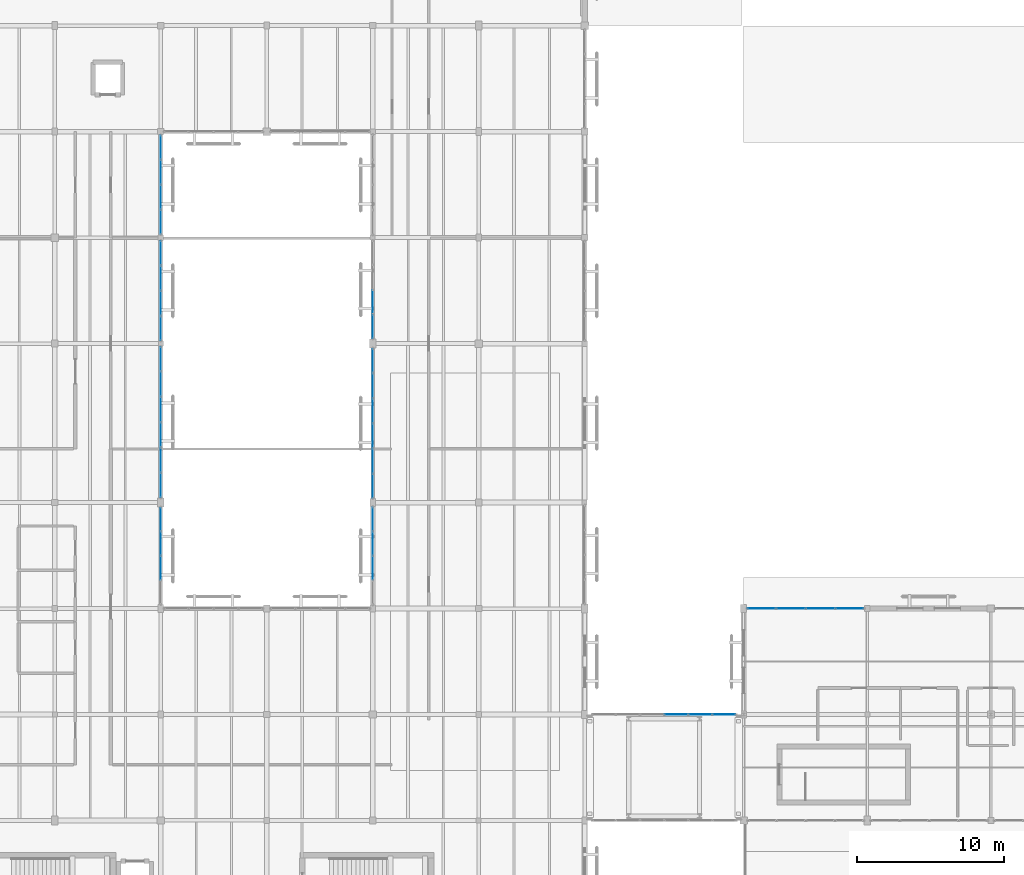
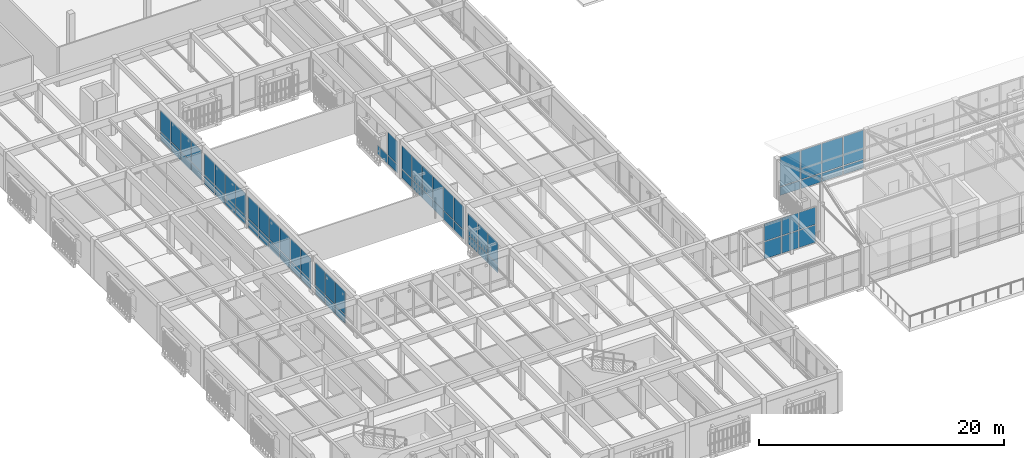
# One storey, part 71 of 112: 69 plates, 9 elements without a shape of their own.
"""IFC4 building model written with IfcOpenShell, lengths in metres."""

import ifcopenshell
import ifcopenshell.guid

model = None  # the IFC model being written
_history = None  # IfcOwnerHistory: only IFC2X3 demands one
_inside = {}  # id of a spatial element -> (the spatial element, [elements in it])
_under = {}  # id of a project, library or spatial element -> (it, [spatial elements below it])
_declared = {}  # id of a project -> (the project, [libraries it declares])
_typed = {}  # id of a type object -> (the type object, [elements of that type])
_made_of = {}  # id of a material, layer set ... -> (it, [elements and type objects made of it])


def new_model(schema):
    """Start an empty IFC model of exactly this schema.

    Asked for "IFC4X3", IfcOpenShell would pick the latest addendum, in which some entities
    have other attributes; the version numbers below select the first issue.
    IFC2X3 requires an IfcOwnerHistory on every rooted entity: one is made here for all.
    """
    global model, _history
    if schema == "IFC4X3":
        model = ifcopenshell.file(schema_version=(4, 3, 0, 0))
    else:
        model = ifcopenshell.file(schema=schema)
    _inside.clear()
    _under.clear()
    _declared.clear()
    _typed.clear()
    _made_of.clear()
    _history = None
    if model.schema == "IFC2X3":
        org = make("IfcOrganization", Name="unknown")
        user = make(
            "IfcPersonAndOrganization",
            ThePerson=make("IfcPerson", FamilyName="unknown"),
            TheOrganization=org,
        )
        app = make(
            "IfcApplication",
            ApplicationDeveloper=org,
            Version="unknown",
            ApplicationFullName="unknown",
            ApplicationIdentifier="unknown",
        )
        _history = make(
            "IfcOwnerHistory",
            OwningUser=user,
            OwningApplication=app,
            ChangeAction="ADDED",
            CreationDate=0,
        )
    return model


def make(cls, **values):
    """One entity of the class cls with the attributes given. An attribute that is None is left unset."""
    return model.create_entity(
        cls, **{name: value for name, value in values.items() if value is not None}
    )


def rooted(cls, **values):
    """An entity with a GlobalId (a new one), such as an element, a storey or a relation."""
    return make(cls, GlobalId=ifcopenshell.guid.new(), OwnerHistory=_history, **values)


def si_unit(unit_type, name, prefix=None):
    """IfcSIUnit, for example si_unit("LENGTHUNIT", "METRE", prefix="MILLI")."""
    return make("IfcSIUnit", UnitType=unit_type, Prefix=prefix, Name=name)


def assignment(units):
    """IfcUnitAssignment: the units of a project."""
    return None if units is None else make("IfcUnitAssignment", Units=units)


def point(xyz):
    """IfcCartesianPoint."""
    return None if xyz is None else make("IfcCartesianPoint", Coordinates=xyz)


def direction(xyz):
    """IfcDirection."""
    return None if xyz is None else make("IfcDirection", DirectionRatios=xyz)


def frame(location, z_axis=None, x_axis=None):
    """IfcAxis2Placement3D, a coordinate frame: its origin and axes. An axis left out is left unset."""
    return make(
        "IfcAxis2Placement3D",
        Location=point(location),
        Axis=direction(z_axis),
        RefDirection=direction(x_axis),
    )


def frame_2d(location, x_axis=None):
    """IfcAxis2Placement2D, a coordinate frame in the plane: its origin and x axis."""
    return make(
        "IfcAxis2Placement2D", Location=point(location), RefDirection=direction(x_axis)
    )


def origin():
    """The frame at (0, 0, 0) with its axes left unset."""
    return frame((0.0, 0.0, 0.0))


def origin_2d():
    """The frame at (0, 0) in the plane with its x axis left unset."""
    return frame_2d((0.0, 0.0))


def place(relative_to, where):
    """IfcLocalPlacement: puts the frame where relative to a parent placement (None: the world)."""
    return make(
        "IfcLocalPlacement", PlacementRelTo=relative_to, RelativePlacement=where
    )


def context(
    kind, dimensions, precision=None, world=None, true_north=None, identifier=None
):
    """IfcGeometricRepresentationContext, for example the 3D "Model" context."""
    return make(
        "IfcGeometricRepresentationContext",
        ContextIdentifier=identifier,
        ContextType=kind,
        CoordinateSpaceDimension=dimensions,
        Precision=precision,
        WorldCoordinateSystem=world,
        TrueNorth=true_north,
    )


def subcontext(parent, identifier, kind, view, scale=None):
    """IfcGeometricRepresentationSubContext, for example "Body" below "Model"."""
    return make(
        "IfcGeometricRepresentationSubContext",
        ContextIdentifier=identifier,
        ContextType=kind,
        ParentContext=parent,
        TargetScale=scale,
        TargetView=view,
    )


def project(units=None, contexts=None):
    """IfcProject with its units and contexts."""
    return rooted(
        "IfcProject",
        Name="project",
        RepresentationContexts=contexts,
        UnitsInContext=assignment(units),
    )


def spatial(cls, under=None, at=None, **own):
    """A site, building, storey or space (cls), placed at a placement, below another one or the project."""
    s = rooted(cls, ObjectPlacement=at, **own)
    if under is not None:
        _under.setdefault(under.id(), (under, []))[1].append(s)
    return s


def profile(cls, at=None, kind="AREA", **sizes):
    """A parametric profile (cls). Its sizes go by their IFC names, for example OverallWidth=200.0."""
    return make(cls, ProfileType=kind, Position=at, **sizes)


def rectangle(**sizes):
    """IfcRectangleProfileDef."""
    return profile("IfcRectangleProfileDef", **sizes)


def extrude(swept, where, along, depth):
    """IfcExtrudedAreaSolid: the profile swept, set in the frame where, extruded along a direction by depth."""
    return make(
        "IfcExtrudedAreaSolid",
        SweptArea=swept,
        Position=where,
        ExtrudedDirection=direction(along),
        Depth=depth,
    )


def shape(context_of_items, identifier, shape_type, items):
    """IfcShapeRepresentation: the items that make up one representation, for example the "Body"."""
    return make(
        "IfcShapeRepresentation",
        ContextOfItems=context_of_items,
        RepresentationIdentifier=identifier,
        RepresentationType=shape_type,
        Items=items,
    )


def material(Name=None, Category=None):
    """IfcMaterial."""
    return make("IfcMaterial", Name=Name, Category=Category)


def layer(
    of_material, thickness, ventilated=None, Name=None, Category=None, Priority=None
):
    """IfcMaterialLayer: one layer of a wall or slab, of a material (None: an air gap)."""
    return make(
        "IfcMaterialLayer",
        Material=of_material,
        LayerThickness=thickness,
        IsVentilated=ventilated,
        Name=Name,
        Category=Category,
        Priority=Priority,
    )


def layer_set(layers, Name=None):
    """IfcMaterialLayerSet."""
    return make("IfcMaterialLayerSet", MaterialLayers=layers, LayerSetName=Name)


def made_of(thing, what):
    """Note that an element or type object is made of a material, layer set ...; save() writes the relation."""
    if what is not None:
        _made_of.setdefault(what.id(), (what, []))[1].append(thing)
    return thing


def type_object(cls, material=None, **own):
    """A type object (cls), such as IfcWallType, which elements share."""
    return made_of(rooted(cls, **own), material)


def element(
    cls,
    number,
    at=None,
    inside=None,
    cuts=None,
    type_object=None,
    material=None,
    context=None,
    identifier="Body",
    shape_type=None,
    held_by="IfcProductDefinitionShape",
    body=None,
    shapes=None,
    **own,
):
    """One element of the class cls, such as IfcWall. Its Tag is "e" and its number.

    at: its placement. inside: the storey or other place that contains it. cuts: it is an
    opening in that element (IfcRelVoidsElement). A single representation is given by context,
    identifier, shape_type and body (its items); several are given by shapes. held_by: the class
    of the entity that holds the representations. save() writes the other relations.
    """
    e = rooted(cls, Tag="e%d" % number, ObjectPlacement=at, **own)
    if body is not None:
        shapes = [shape(context, identifier, shape_type, body)]
    if shapes is not None:
        e.Representation = make(held_by, Representations=shapes)
    if inside is not None:
        _inside.setdefault(inside.id(), (inside, []))[1].append(e)
    if cuts is not None:
        rooted(
            "IfcRelVoidsElement", RelatingBuildingElement=cuts, RelatedOpeningElement=e
        )
    if type_object is not None:
        _typed.setdefault(type_object.id(), (type_object, []))[1].append(e)
    return made_of(e, material)


def aggregate(whole, parts):
    """IfcRelAggregates: a whole, such as a stair, and the parts it consists of."""
    return rooted("IfcRelAggregates", RelatingObject=whole, RelatedObjects=parts)


def save(model, path):
    """Write the relations noted so far, then the file.

    IfcRelAggregates (storeys below a building ...), IfcRelContainedInSpatialStructure (elements
    in a storey), IfcRelDefinesByType, IfcRelAssociatesMaterial and IfcRelDeclares: one each for
    every whole, place, type object, material and project.
    """
    for whole, parts in _under.values():
        aggregate(whole, parts)
    for where, things in _inside.values():
        rooted(
            "IfcRelContainedInSpatialStructure",
            RelatedElements=things,
            RelatingStructure=where,
        )
    for kind, things in _typed.values():
        rooted("IfcRelDefinesByType", RelatedObjects=things, RelatingType=kind)
    for what, things in _made_of.values():
        rooted("IfcRelAssociatesMaterial", RelatedObjects=things, RelatingMaterial=what)
    for by, libraries in _declared.values():
        rooted("IfcRelDeclares", RelatingContext=by, RelatedDefinitions=libraries)
    model.write(path)


model = new_model("IFC4")

# Units and contexts
model_context = context("Model", 3, precision=1e-05, world=origin(), true_north=direction((0.0, 1.0)))
body_context = subcontext(model_context, "Body", "Model", "MODEL_VIEW")
ifc_project = project(units=[si_unit("LENGTHUNIT", "METRE"), si_unit("AREAUNIT", "SQUARE_METRE"), si_unit("VOLUMEUNIT", "CUBIC_METRE"), si_unit("PLANEANGLEUNIT", "RADIAN"), si_unit("MASSUNIT", "GRAM", prefix="KILO")], contexts=[model_context])

# Site, building, storey
site_placement = place(None, origin())
site = spatial("IfcSite", under=ifc_project, at=site_placement, CompositionType="ELEMENT")
building_placement = place(site_placement, origin())
building = spatial("IfcBuilding", under=site, at=building_placement, Name="Mazaris Harbour Polytechnic", CompositionType="ELEMENT")
storey_placement = place(building_placement, frame((0.0, 0.0, 13.800048828125)))
storey = spatial("IfcBuildingStorey", under=building, at=storey_placement, Name="L03", CompositionType="ELEMENT", Elevation=13.800048828125)

# Curtain wall, plates
ifc_material_1 = material(Name="Anodised Bronze Aluminium and Low-E Glass", Category="aluminium")
ifc_layer_1 = layer(ifc_material_1, 0.159912109375, Name="Anodised Bronze Aluminium and Low-E Glass")
ifc_layer_set_1 = layer_set([ifc_layer_1], Name="Anodised Bronze Aluminium and Low-E Glass")
curtain_wall_type_1 = type_object("IfcCurtainWallType", Name="Cloister Court Curtain Wall", PredefinedType="NOTDEFINED", material=ifc_layer_set_1)
curtain_wall_1_placement = place(storey_placement, origin())
curtain_wall_1 = element("IfcCurtainWall", 1, at=curtain_wall_1_placement, inside=storey, type_object=curtain_wall_type_1, Name="V3 L03 Curtain Wall 93", PredefinedType="NOTDEFINED")
ifc_material_2 = material(Name="Low-E Double Glazing", Category="glass")
ifc_layer_2 = layer(ifc_material_2, 0.028076171875, Name="Low-E Double Glazing")
ifc_layer_set_2 = layer_set([ifc_layer_2], Name="Low-E Double Glazing")
plate_type = type_object("IfcPlateType", Name="Low-E Vision Glass Panel 28", PredefinedType="CURTAIN_PANEL", material=ifc_layer_set_2)
plate_1_placement = place(storey_placement, frame((55.21533203125, 36.0, 0.079833984375), z_axis=(0.0, 0.0, 1.0), x_axis=(1.0, 0.0, 0.0)))
plate_1 = element("IfcPlate", 2, at=plate_1_placement, type_object=plate_type, Name="CW-02 panel 1.1", PredefinedType="CURTAIN_PANEL", context=body_context, shape_type="SweptSolid", body=[
    extrude(rectangle(XDim=1.886474609375, YDim=0.028076171875, at=origin_2d()), origin(), (0.0, 0.0, 1.0), 0.830078125),
])
plate_2_placement = place(storey_placement, frame((55.21533203125, 36.0, 0.990234375), z_axis=(0.0, 0.0, 1.0), x_axis=(1.0, 0.0, 0.0)))
plate_2 = element("IfcPlate", 3, at=plate_2_placement, type_object=plate_type, Name="CW-02 panel 1.2", PredefinedType="CURTAIN_PANEL", context=body_context, shape_type="SweptSolid", body=[
    extrude(rectangle(XDim=1.886474609375, YDim=0.028076171875, at=origin_2d()), origin(), (0.0, 0.0, 1.0), 2.889892578125),
])
plate_3_placement = place(storey_placement, frame((57.20166015625, 36.0, 0.079833984375), z_axis=(0.0, 0.0, 1.0), x_axis=(1.0, 0.0, 0.0)))
plate_3 = element("IfcPlate", 4, at=plate_3_placement, type_object=plate_type, Name="CW-02 panel 2.1", PredefinedType="CURTAIN_PANEL", context=body_context, shape_type="SweptSolid", body=[
    extrude(rectangle(XDim=1.926513671875, YDim=0.028076171875, at=origin_2d()), origin(), (0.0, 0.0, 1.0), 0.830078125),
])
plate_4_placement = place(storey_placement, frame((57.20166015625, 36.0, 0.990234375), z_axis=(0.0, 0.0, 1.0), x_axis=(1.0, 0.0, 0.0)))
plate_4 = element("IfcPlate", 5, at=plate_4_placement, type_object=plate_type, Name="CW-02 panel 2.2", PredefinedType="CURTAIN_PANEL", context=body_context, shape_type="SweptSolid", body=[
    extrude(rectangle(XDim=1.926513671875, YDim=0.028076171875, at=origin_2d()), origin(), (0.0, 0.0, 1.0), 2.889892578125),
])
plate_5_placement = place(storey_placement, frame((59.208251953125, 36.0, 0.079833984375), z_axis=(0.0, 0.0, 1.0), x_axis=(1.0, 0.0, 0.0)))
plate_5 = element("IfcPlate", 6, at=plate_5_placement, type_object=plate_type, Name="CW-02 panel 3.1", PredefinedType="CURTAIN_PANEL", context=body_context, shape_type="SweptSolid", body=[
    extrude(rectangle(XDim=1.926513671875, YDim=0.028076171875, at=origin_2d()), origin(), (0.0, 0.0, 1.0), 0.830078125),
])
plate_6_placement = place(storey_placement, frame((59.208251953125, 36.0, 0.990234375), z_axis=(0.0, 0.0, 1.0), x_axis=(1.0, 0.0, 0.0)))
plate_6 = element("IfcPlate", 7, at=plate_6_placement, type_object=plate_type, Name="CW-02 panel 3.2", PredefinedType="CURTAIN_PANEL", context=body_context, shape_type="SweptSolid", body=[
    extrude(rectangle(XDim=1.926513671875, YDim=0.028076171875, at=origin_2d()), origin(), (0.0, 0.0, 1.0), 2.889892578125),
])
plate_7_placement = place(storey_placement, frame((61.19482421875, 36.0, 0.079833984375), z_axis=(0.0, 0.0, 1.0), x_axis=(1.0, 0.0, 0.0)))
plate_7 = element("IfcPlate", 8, at=plate_7_placement, type_object=plate_type, Name="CW-02 panel 4.1", PredefinedType="CURTAIN_PANEL", context=body_context, shape_type="SweptSolid", body=[
    extrude(rectangle(XDim=1.886474609375, YDim=0.028076171875, at=origin_2d()), origin(), (0.0, 0.0, 1.0), 0.830078125),
])
plate_8_placement = place(storey_placement, frame((61.19482421875, 36.0, 0.990234375), z_axis=(0.0, 0.0, 1.0), x_axis=(1.0, 0.0, 0.0)))
plate_8 = element("IfcPlate", 9, at=plate_8_placement, type_object=plate_type, Name="CW-02 panel 4.2", PredefinedType="CURTAIN_PANEL", context=body_context, shape_type="SweptSolid", body=[
    extrude(rectangle(XDim=1.886474609375, YDim=0.028076171875, at=origin_2d()), origin(), (0.0, 0.0, 1.0), 2.889892578125),
])
aggregate(curtain_wall_1, [plate_1, plate_2, plate_3, plate_4, plate_5, plate_6, plate_7, plate_8])

curtain_wall_2_placement = place(storey_placement, origin())
curtain_wall_2 = element("IfcCurtainWall", 10, at=curtain_wall_2_placement, inside=storey, type_object=curtain_wall_type_1, Name="V4 L03 Curtain Wall 154", PredefinedType="NOTDEFINED")
plate_9_placement = place(storey_placement, frame((14.39990234375, 38.754150390625, 0.079833984375), z_axis=(0.0, 0.0, 1.0), x_axis=(0.0, 1.0, 0.0)))
plate_9 = element("IfcPlate", 11, at=plate_9_placement, type_object=plate_type, Name="CW-02 panel 2.1", PredefinedType="CURTAIN_PANEL", context=body_context, shape_type="SweptSolid", body=[
    extrude(rectangle(XDim=1.58154296875, YDim=0.028076171875, at=origin_2d()), origin(), (0.0, 0.0, 1.0), 0.830078125),
])
plate_10_placement = place(storey_placement, frame((14.39990234375, 38.754150390625, 0.98974609375), z_axis=(0.0, 0.0, 1.0), x_axis=(0.0, 1.0, 0.0)))
plate_10 = element("IfcPlate", 12, at=plate_10_placement, type_object=plate_type, Name="CW-02 panel 2.2", PredefinedType="CURTAIN_PANEL", context=body_context, shape_type="SweptSolid", body=[
    extrude(rectangle(XDim=1.58154296875, YDim=0.028076171875, at=origin_2d()), origin(), (0.0, 0.0, 1.0), 2.260009765625),
])
plate_11_placement = place(storey_placement, frame((14.39990234375, 40.415771484375, 0.079833984375), z_axis=(0.0, 0.0, 1.0), x_axis=(0.0, 1.0, 0.0)))
plate_11 = element("IfcPlate", 13, at=plate_11_placement, type_object=plate_type, Name="CW-02 panel 3.1", PredefinedType="CURTAIN_PANEL", context=body_context, shape_type="SweptSolid", body=[
    extrude(rectangle(XDim=1.58154296875, YDim=0.028076171875, at=origin_2d()), origin(), (0.0, 0.0, 1.0), 0.830078125),
])
plate_12_placement = place(storey_placement, frame((14.39990234375, 40.415771484375, 0.98974609375), z_axis=(0.0, 0.0, 1.0), x_axis=(0.0, 1.0, 0.0)))
plate_12 = element("IfcPlate", 14, at=plate_12_placement, type_object=plate_type, Name="CW-02 panel 3.2", PredefinedType="CURTAIN_PANEL", context=body_context, shape_type="SweptSolid", body=[
    extrude(rectangle(XDim=1.58154296875, YDim=0.028076171875, at=origin_2d()), origin(), (0.0, 0.0, 1.0), 2.260009765625),
])
plate_13_placement = place(storey_placement, frame((14.39990234375, 42.05712890625, 0.079833984375), z_axis=(0.0, 0.0, 1.0), x_axis=(0.0, 1.0, 0.0)))
plate_13 = element("IfcPlate", 15, at=plate_13_placement, type_object=plate_type, Name="CW-02 panel 4.1", PredefinedType="CURTAIN_PANEL", context=body_context, shape_type="SweptSolid", body=[
    extrude(rectangle(XDim=1.54150390625, YDim=0.028076171875, at=origin_2d()), origin(), (0.0, 0.0, 1.0), 0.830078125),
])
plate_14_placement = place(storey_placement, frame((14.39990234375, 42.05712890625, 0.98974609375), z_axis=(0.0, 0.0, 1.0), x_axis=(0.0, 1.0, 0.0)))
plate_14 = element("IfcPlate", 16, at=plate_14_placement, type_object=plate_type, Name="CW-02 panel 4.2", PredefinedType="CURTAIN_PANEL", context=body_context, shape_type="SweptSolid", body=[
    extrude(rectangle(XDim=1.54150390625, YDim=0.028076171875, at=origin_2d()), origin(), (0.0, 0.0, 1.0), 2.260009765625),
])
aggregate(curtain_wall_2, [plate_9, plate_10, plate_11, plate_12, plate_13, plate_14])

curtain_wall_3_placement = place(storey_placement, origin())
curtain_wall_3 = element("IfcCurtainWall", 17, at=curtain_wall_3_placement, inside=storey, type_object=curtain_wall_type_1, Name="V4 L03 Curtain Wall 155", PredefinedType="NOTDEFINED")
plate_15_placement = place(storey_placement, frame((14.39990234375, 44.374267578125, 0.079833984375), z_axis=(0.0, 0.0, 1.0), x_axis=(0.0, 1.0, 0.0)))
plate_15 = element("IfcPlate", 18, at=plate_15_placement, type_object=plate_type, Name="CW-02 panel 1.1", PredefinedType="CURTAIN_PANEL", context=body_context, shape_type="SweptSolid", body=[
    extrude(rectangle(XDim=1.604248046875, YDim=0.028076171875, at=origin_2d()), origin(), (0.0, 0.0, 1.0), 0.830078125),
])
plate_16_placement = place(storey_placement, frame((14.39990234375, 44.374267578125, 0.98974609375), z_axis=(0.0, 0.0, 1.0), x_axis=(0.0, 1.0, 0.0)))
plate_16 = element("IfcPlate", 19, at=plate_16_placement, type_object=plate_type, Name="CW-02 panel 1.2", PredefinedType="CURTAIN_PANEL", context=body_context, shape_type="SweptSolid", body=[
    extrude(rectangle(XDim=1.604248046875, YDim=0.028076171875, at=origin_2d()), origin(), (0.0, 0.0, 1.0), 2.199951171875),
])
plate_17_placement = place(storey_placement, frame((14.39990234375, 46.07861328125, 0.079833984375), z_axis=(0.0, 0.0, 1.0), x_axis=(0.0, 1.0, 0.0)))
plate_17 = element("IfcPlate", 20, at=plate_17_placement, type_object=plate_type, Name="CW-02 panel 2.1", PredefinedType="CURTAIN_PANEL", context=body_context, shape_type="SweptSolid", body=[
    extrude(rectangle(XDim=1.644287109375, YDim=0.028076171875, at=origin_2d()), origin(), (0.0, 0.0, 1.0), 0.830078125),
])
plate_18_placement = place(storey_placement, frame((14.39990234375, 46.07861328125, 0.98974609375), z_axis=(0.0, 0.0, 1.0), x_axis=(0.0, 1.0, 0.0)))
plate_18 = element("IfcPlate", 21, at=plate_18_placement, type_object=plate_type, Name="CW-02 panel 2.2", PredefinedType="CURTAIN_PANEL", context=body_context, shape_type="SweptSolid", body=[
    extrude(rectangle(XDim=1.644287109375, YDim=0.028076171875, at=origin_2d()), origin(), (0.0, 0.0, 1.0), 2.199951171875),
])
plate_19_placement = place(storey_placement, frame((14.39990234375, 47.802734375, 0.079833984375), z_axis=(0.0, 0.0, 1.0), x_axis=(0.0, 1.0, 0.0)))
plate_19 = element("IfcPlate", 22, at=plate_19_placement, type_object=plate_type, Name="CW-02 panel 3.1", PredefinedType="CURTAIN_PANEL", context=body_context, shape_type="SweptSolid", body=[
    extrude(rectangle(XDim=1.644287109375, YDim=0.028076171875, at=origin_2d()), origin(), (0.0, 0.0, 1.0), 0.830078125),
])
plate_20_placement = place(storey_placement, frame((14.39990234375, 47.802734375, 0.98974609375), z_axis=(0.0, 0.0, 1.0), x_axis=(0.0, 1.0, 0.0)))
plate_20 = element("IfcPlate", 23, at=plate_20_placement, type_object=plate_type, Name="CW-02 panel 3.2", PredefinedType="CURTAIN_PANEL", context=body_context, shape_type="SweptSolid", body=[
    extrude(rectangle(XDim=1.644287109375, YDim=0.028076171875, at=origin_2d()), origin(), (0.0, 0.0, 1.0), 2.199951171875),
])
plate_21_placement = place(storey_placement, frame((14.39990234375, 49.527099609375, 0.079833984375), z_axis=(0.0, 0.0, 1.0), x_axis=(0.0, 1.0, 0.0)))
plate_21 = element("IfcPlate", 24, at=plate_21_placement, type_object=plate_type, Name="CW-02 panel 4.1", PredefinedType="CURTAIN_PANEL", context=body_context, shape_type="SweptSolid", body=[
    extrude(rectangle(XDim=1.644287109375, YDim=0.028076171875, at=origin_2d()), origin(), (0.0, 0.0, 1.0), 0.830078125),
])
plate_22_placement = place(storey_placement, frame((14.39990234375, 49.527099609375, 0.98974609375), z_axis=(0.0, 0.0, 1.0), x_axis=(0.0, 1.0, 0.0)))
plate_22 = element("IfcPlate", 25, at=plate_22_placement, type_object=plate_type, Name="CW-02 panel 4.2", PredefinedType="CURTAIN_PANEL", context=body_context, shape_type="SweptSolid", body=[
    extrude(rectangle(XDim=1.644287109375, YDim=0.028076171875, at=origin_2d()), origin(), (0.0, 0.0, 1.0), 2.199951171875),
])
plate_23_placement = place(storey_placement, frame((14.39990234375, 51.25146484375, 0.079833984375), z_axis=(0.0, 0.0, 1.0), x_axis=(0.0, 1.0, 0.0)))
plate_23 = element("IfcPlate", 26, at=plate_23_placement, type_object=plate_type, Name="CW-02 panel 5.1", PredefinedType="CURTAIN_PANEL", context=body_context, shape_type="SweptSolid", body=[
    extrude(rectangle(XDim=1.644287109375, YDim=0.028076171875, at=origin_2d()), origin(), (0.0, 0.0, 1.0), 0.830078125),
])
plate_24_placement = place(storey_placement, frame((14.39990234375, 51.25146484375, 0.98974609375), z_axis=(0.0, 0.0, 1.0), x_axis=(0.0, 1.0, 0.0)))
plate_24 = element("IfcPlate", 27, at=plate_24_placement, type_object=plate_type, Name="CW-02 panel 5.2", PredefinedType="CURTAIN_PANEL", context=body_context, shape_type="SweptSolid", body=[
    extrude(rectangle(XDim=1.644287109375, YDim=0.028076171875, at=origin_2d()), origin(), (0.0, 0.0, 1.0), 2.199951171875),
])
plate_25_placement = place(storey_placement, frame((14.39990234375, 52.955810546875, 0.079833984375), z_axis=(0.0, 0.0, 1.0), x_axis=(0.0, 1.0, 0.0)))
plate_25 = element("IfcPlate", 28, at=plate_25_placement, type_object=plate_type, Name="CW-02 panel 6.1", PredefinedType="CURTAIN_PANEL", context=body_context, shape_type="SweptSolid", body=[
    extrude(rectangle(XDim=1.604248046875, YDim=0.028076171875, at=origin_2d()), origin(), (0.0, 0.0, 1.0), 0.830078125),
])
plate_26_placement = place(storey_placement, frame((14.39990234375, 52.955810546875, 0.98974609375), z_axis=(0.0, 0.0, 1.0), x_axis=(0.0, 1.0, 0.0)))
plate_26 = element("IfcPlate", 29, at=plate_26_placement, type_object=plate_type, Name="CW-02 panel 6.2", PredefinedType="CURTAIN_PANEL", context=body_context, shape_type="SweptSolid", body=[
    extrude(rectangle(XDim=1.604248046875, YDim=0.028076171875, at=origin_2d()), origin(), (0.0, 0.0, 1.0), 2.199951171875),
])
aggregate(curtain_wall_3, [plate_15, plate_16, plate_17, plate_18, plate_19, plate_20, plate_21, plate_22, plate_23, plate_24, plate_25, plate_26])

curtain_wall_4_placement = place(storey_placement, origin())
curtain_wall_4 = element("IfcCurtainWall", 30, at=curtain_wall_4_placement, inside=storey, type_object=curtain_wall_type_1, Name="V4 L03 Curtain Wall 156", PredefinedType="NOTDEFINED")
plate_27_placement = place(storey_placement, frame((14.39990234375, 55.0390625, 0.079833984375), z_axis=(0.0, 0.0, 1.0), x_axis=(0.0, 1.0, 0.0)))
plate_27 = element("IfcPlate", 31, at=plate_27_placement, type_object=plate_type, Name="CW-02 panel 1.1", PredefinedType="CURTAIN_PANEL", context=body_context, shape_type="SweptSolid", body=[
    extrude(rectangle(XDim=1.593994140625, YDim=0.028076171875, at=origin_2d()), origin(), (0.0, 0.0, 1.0), 0.830078125),
])
plate_28_placement = place(storey_placement, frame((14.39990234375, 55.0390625, 0.990234375), z_axis=(0.0, 0.0, 1.0), x_axis=(0.0, 1.0, 0.0)))
plate_28 = element("IfcPlate", 32, at=plate_28_placement, type_object=plate_type, Name="CW-02 panel 1.2", PredefinedType="CURTAIN_PANEL", context=body_context, shape_type="SweptSolid", body=[
    extrude(rectangle(XDim=1.593994140625, YDim=0.028076171875, at=origin_2d()), origin(), (0.0, 0.0, 1.0), 2.159912109375),
])
plate_29_placement = place(storey_placement, frame((14.39990234375, 56.73291015625, 0.079833984375), z_axis=(0.0, 0.0, 1.0), x_axis=(0.0, 1.0, 0.0)))
plate_29 = element("IfcPlate", 33, at=plate_29_placement, type_object=plate_type, Name="CW-02 panel 2.1", PredefinedType="CURTAIN_PANEL", context=body_context, shape_type="SweptSolid", body=[
    extrude(rectangle(XDim=1.634033203125, YDim=0.028076171875, at=origin_2d()), origin(), (0.0, 0.0, 1.0), 0.830078125),
])
plate_30_placement = place(storey_placement, frame((14.39990234375, 56.73291015625, 0.990234375), z_axis=(0.0, 0.0, 1.0), x_axis=(0.0, 1.0, 0.0)))
plate_30 = element("IfcPlate", 34, at=plate_30_placement, type_object=plate_type, Name="CW-02 panel 2.2", PredefinedType="CURTAIN_PANEL", context=body_context, shape_type="SweptSolid", body=[
    extrude(rectangle(XDim=1.634033203125, YDim=0.028076171875, at=origin_2d()), origin(), (0.0, 0.0, 1.0), 2.159912109375),
])
plate_31_placement = place(storey_placement, frame((14.39990234375, 58.447021484375, 0.079833984375), z_axis=(0.0, 0.0, 1.0), x_axis=(0.0, 1.0, 0.0)))
plate_31 = element("IfcPlate", 35, at=plate_31_placement, type_object=plate_type, Name="CW-02 panel 3.1", PredefinedType="CURTAIN_PANEL", context=body_context, shape_type="SweptSolid", body=[
    extrude(rectangle(XDim=1.634033203125, YDim=0.028076171875, at=origin_2d()), origin(), (0.0, 0.0, 1.0), 0.830078125),
])
plate_32_placement = place(storey_placement, frame((14.39990234375, 58.447021484375, 0.990234375), z_axis=(0.0, 0.0, 1.0), x_axis=(0.0, 1.0, 0.0)))
plate_32 = element("IfcPlate", 36, at=plate_32_placement, type_object=plate_type, Name="CW-02 panel 3.2", PredefinedType="CURTAIN_PANEL", context=body_context, shape_type="SweptSolid", body=[
    extrude(rectangle(XDim=1.634033203125, YDim=0.028076171875, at=origin_2d()), origin(), (0.0, 0.0, 1.0), 2.159912109375),
])
plate_33_placement = place(storey_placement, frame((14.39990234375, 60.14111328125, 0.079833984375), z_axis=(0.0, 0.0, 1.0), x_axis=(0.0, 1.0, 0.0)))
plate_33 = element("IfcPlate", 37, at=plate_33_placement, type_object=plate_type, Name="CW-02 panel 4.1", PredefinedType="CURTAIN_PANEL", context=body_context, shape_type="SweptSolid", body=[
    extrude(rectangle(XDim=1.593994140625, YDim=0.028076171875, at=origin_2d()), origin(), (0.0, 0.0, 1.0), 0.830078125),
])
plate_34_placement = place(storey_placement, frame((14.39990234375, 60.14111328125, 0.990234375), z_axis=(0.0, 0.0, 1.0), x_axis=(0.0, 1.0, 0.0)))
plate_34 = element("IfcPlate", 38, at=plate_34_placement, type_object=plate_type, Name="CW-02 panel 4.2", PredefinedType="CURTAIN_PANEL", context=body_context, shape_type="SweptSolid", body=[
    extrude(rectangle(XDim=1.593994140625, YDim=0.028076171875, at=origin_2d()), origin(), (0.0, 0.0, 1.0), 2.159912109375),
])
aggregate(curtain_wall_4, [plate_27, plate_28, plate_29, plate_30, plate_31, plate_32, plate_33, plate_34])

curtain_wall_5_placement = place(storey_placement, origin())
curtain_wall_5 = element("IfcCurtainWall", 39, at=curtain_wall_5_placement, inside=storey, type_object=curtain_wall_type_1, Name="V4 L03 Curtain Wall 157", PredefinedType="NOTDEFINED")
plate_35_placement = place(storey_placement, frame((14.39990234375, 62.25390625, 0.079833984375), z_axis=(0.0, 0.0, 1.0), x_axis=(0.0, 1.0, 0.0)))
plate_35 = element("IfcPlate", 40, at=plate_35_placement, type_object=plate_type, Name="CW-02 panel 1.1", PredefinedType="CURTAIN_PANEL", context=body_context, shape_type="SweptSolid", body=[
    extrude(rectangle(XDim=1.583984375, YDim=0.028076171875, at=origin_2d()), origin(), (0.0, 0.0, 1.0), 0.830078125),
])
plate_36_placement = place(storey_placement, frame((14.39990234375, 62.25390625, 0.989990234375), z_axis=(0.0, 0.0, 1.0), x_axis=(0.0, 1.0, 0.0)))
plate_36 = element("IfcPlate", 41, at=plate_36_placement, type_object=plate_type, Name="CW-02 panel 1.2", PredefinedType="CURTAIN_PANEL", context=body_context, shape_type="SweptSolid", body=[
    extrude(rectangle(XDim=1.583984375, YDim=0.028076171875, at=origin_2d()), origin(), (0.0, 0.0, 1.0), 2.10009765625),
])
plate_37_placement = place(storey_placement, frame((14.39990234375, 63.93798828125, 0.079833984375), z_axis=(0.0, 0.0, 1.0), x_axis=(0.0, 1.0, 0.0)))
plate_37 = element("IfcPlate", 42, at=plate_37_placement, type_object=plate_type, Name="CW-02 panel 2.1", PredefinedType="CURTAIN_PANEL", context=body_context, shape_type="SweptSolid", body=[
    extrude(rectangle(XDim=1.6240234375, YDim=0.028076171875, at=origin_2d()), origin(), (0.0, 0.0, 1.0), 0.830078125),
])
plate_38_placement = place(storey_placement, frame((14.39990234375, 63.93798828125, 0.989990234375), z_axis=(0.0, 0.0, 1.0), x_axis=(0.0, 1.0, 0.0)))
plate_38 = element("IfcPlate", 43, at=plate_38_placement, type_object=plate_type, Name="CW-02 panel 2.2", PredefinedType="CURTAIN_PANEL", context=body_context, shape_type="SweptSolid", body=[
    extrude(rectangle(XDim=1.6240234375, YDim=0.028076171875, at=origin_2d()), origin(), (0.0, 0.0, 1.0), 2.10009765625),
])
plate_39_placement = place(storey_placement, frame((14.39990234375, 65.64208984375, 0.079833984375), z_axis=(0.0, 0.0, 1.0), x_axis=(0.0, 1.0, 0.0)))
plate_39 = element("IfcPlate", 44, at=plate_39_placement, type_object=plate_type, Name="CW-02 panel 3.1", PredefinedType="CURTAIN_PANEL", context=body_context, shape_type="SweptSolid", body=[
    extrude(rectangle(XDim=1.6240234375, YDim=0.028076171875, at=origin_2d()), origin(), (0.0, 0.0, 1.0), 0.830078125),
])
plate_40_placement = place(storey_placement, frame((14.39990234375, 65.64208984375, 0.989990234375), z_axis=(0.0, 0.0, 1.0), x_axis=(0.0, 1.0, 0.0)))
plate_40 = element("IfcPlate", 45, at=plate_40_placement, type_object=plate_type, Name="CW-02 panel 3.2", PredefinedType="CURTAIN_PANEL", context=body_context, shape_type="SweptSolid", body=[
    extrude(rectangle(XDim=1.6240234375, YDim=0.028076171875, at=origin_2d()), origin(), (0.0, 0.0, 1.0), 2.10009765625),
])
plate_41_placement = place(storey_placement, frame((14.39990234375, 67.325927734375, 0.079833984375), z_axis=(0.0, 0.0, 1.0), x_axis=(0.0, 1.0, 0.0)))
plate_41 = element("IfcPlate", 46, at=plate_41_placement, type_object=plate_type, Name="CW-02 panel 4.1", PredefinedType="CURTAIN_PANEL", context=body_context, shape_type="SweptSolid", body=[
    extrude(rectangle(XDim=1.583984375, YDim=0.028076171875, at=origin_2d()), origin(), (0.0, 0.0, 1.0), 0.830078125),
])
plate_42_placement = place(storey_placement, frame((14.39990234375, 67.325927734375, 0.989990234375), z_axis=(0.0, 0.0, 1.0), x_axis=(0.0, 1.0, 0.0)))
plate_42 = element("IfcPlate", 47, at=plate_42_placement, type_object=plate_type, Name="CW-02 panel 4.2", PredefinedType="CURTAIN_PANEL", context=body_context, shape_type="SweptSolid", body=[
    extrude(rectangle(XDim=1.583984375, YDim=0.028076171875, at=origin_2d()), origin(), (0.0, 0.0, 1.0), 2.10009765625),
])
aggregate(curtain_wall_5, [plate_35, plate_36, plate_37, plate_38, plate_39, plate_40, plate_41, plate_42])

curtain_wall_6_placement = place(storey_placement, origin())
curtain_wall_6 = element("IfcCurtainWall", 48, at=curtain_wall_6_placement, inside=storey, type_object=curtain_wall_type_1, Name="V4 L03 Curtain Wall 158", PredefinedType="NOTDEFINED")
plate_43_placement = place(storey_placement, frame((28.800048828125, 42.079833984375, 0.079833984375), z_axis=(0.0, 0.0, 1.0), x_axis=(0.0, -1.0, 0.0)))
plate_43 = element("IfcPlate", 49, at=plate_43_placement, type_object=plate_type, Name="CW-02 panel 1.1", PredefinedType="CURTAIN_PANEL", context=body_context, shape_type="SweptSolid", body=[
    extrude(rectangle(XDim=1.556396484375, YDim=0.028076171875, at=origin_2d()), origin(), (0.0, 0.0, 1.0), 0.830078125),
])
plate_44_placement = place(storey_placement, frame((28.800048828125, 42.079833984375, 0.989990234375), z_axis=(0.0, 0.0, 1.0), x_axis=(0.0, -1.0, 0.0)))
plate_44 = element("IfcPlate", 50, at=plate_44_placement, type_object=plate_type, Name="CW-02 panel 1.2", PredefinedType="CURTAIN_PANEL", context=body_context, shape_type="SweptSolid", body=[
    extrude(rectangle(XDim=1.556396484375, YDim=0.028076171875, at=origin_2d()), origin(), (0.0, 0.0, 1.0), 2.10009765625),
])
plate_45_placement = place(storey_placement, frame((28.800048828125, 40.42333984375, 0.079833984375), z_axis=(0.0, 0.0, 1.0), x_axis=(0.0, -1.0, 0.0)))
plate_45 = element("IfcPlate", 51, at=plate_45_placement, type_object=plate_type, Name="CW-02 panel 2.1", PredefinedType="CURTAIN_PANEL", context=body_context, shape_type="SweptSolid", body=[
    extrude(rectangle(XDim=1.596435546875, YDim=0.028076171875, at=origin_2d()), origin(), (0.0, 0.0, 1.0), 0.830078125),
])
plate_46_placement = place(storey_placement, frame((28.800048828125, 40.42333984375, 0.989990234375), z_axis=(0.0, 0.0, 1.0), x_axis=(0.0, -1.0, 0.0)))
plate_46 = element("IfcPlate", 52, at=plate_46_placement, type_object=plate_type, Name="CW-02 panel 2.2", PredefinedType="CURTAIN_PANEL", context=body_context, shape_type="SweptSolid", body=[
    extrude(rectangle(XDim=1.596435546875, YDim=0.028076171875, at=origin_2d()), origin(), (0.0, 0.0, 1.0), 2.10009765625),
])
plate_47_placement = place(storey_placement, frame((28.800048828125, 38.746826171875, 0.079833984375), z_axis=(0.0, 0.0, 1.0), x_axis=(0.0, -1.0, 0.0)))
plate_47 = element("IfcPlate", 53, at=plate_47_placement, type_object=plate_type, Name="CW-02 panel 3.1", PredefinedType="CURTAIN_PANEL", context=body_context, shape_type="SweptSolid", body=[
    extrude(rectangle(XDim=1.596435546875, YDim=0.028076171875, at=origin_2d()), origin(), (0.0, 0.0, 1.0), 0.830078125),
])
plate_48_placement = place(storey_placement, frame((28.800048828125, 38.746826171875, 0.989990234375), z_axis=(0.0, 0.0, 1.0), x_axis=(0.0, -1.0, 0.0)))
plate_48 = element("IfcPlate", 54, at=plate_48_placement, type_object=plate_type, Name="CW-02 panel 3.2", PredefinedType="CURTAIN_PANEL", context=body_context, shape_type="SweptSolid", body=[
    extrude(rectangle(XDim=1.596435546875, YDim=0.028076171875, at=origin_2d()), origin(), (0.0, 0.0, 1.0), 2.10009765625),
])
aggregate(curtain_wall_6, [plate_43, plate_44, plate_45, plate_46, plate_47, plate_48])

curtain_wall_7_placement = place(storey_placement, origin())
curtain_wall_7 = element("IfcCurtainWall", 55, at=curtain_wall_7_placement, inside=storey, type_object=curtain_wall_type_1, Name="V4 L03 Curtain Wall 159", PredefinedType="NOTDEFINED")
plate_49_placement = place(storey_placement, frame((28.800048828125, 52.834228515625, 0.079833984375), z_axis=(0.0, 0.0, 1.0), x_axis=(0.0, -1.0, 0.0)))
plate_49 = element("IfcPlate", 56, at=plate_49_placement, type_object=plate_type, Name="CW-02 panel 1.1", PredefinedType="CURTAIN_PANEL", context=body_context, shape_type="SweptSolid", body=[
    extrude(rectangle(XDim=1.587646484375, YDim=0.028076171875, at=origin_2d()), origin(), (0.0, 0.0, 1.0), 0.830078125),
])
plate_50_placement = place(storey_placement, frame((28.800048828125, 52.834228515625, 0.98974609375), z_axis=(0.0, 0.0, 1.0), x_axis=(0.0, -1.0, 0.0)))
plate_50 = element("IfcPlate", 57, at=plate_50_placement, type_object=plate_type, Name="CW-02 panel 1.2", PredefinedType="CURTAIN_PANEL", context=body_context, shape_type="SweptSolid", body=[
    extrude(rectangle(XDim=1.587646484375, YDim=0.028076171875, at=origin_2d()), origin(), (0.0, 0.0, 1.0), 2.320068359375),
])
plate_51_placement = place(storey_placement, frame((28.800048828125, 51.146484375, 0.079833984375), z_axis=(0.0, 0.0, 1.0), x_axis=(0.0, -1.0, 0.0)))
plate_51 = element("IfcPlate", 58, at=plate_51_placement, type_object=plate_type, Name="CW-02 panel 2.1", PredefinedType="CURTAIN_PANEL", context=body_context, shape_type="SweptSolid", body=[
    extrude(rectangle(XDim=1.627685546875, YDim=0.028076171875, at=origin_2d()), origin(), (0.0, 0.0, 1.0), 0.830078125),
])
plate_52_placement = place(storey_placement, frame((28.800048828125, 51.146484375, 0.98974609375), z_axis=(0.0, 0.0, 1.0), x_axis=(0.0, -1.0, 0.0)))
plate_52 = element("IfcPlate", 59, at=plate_52_placement, type_object=plate_type, Name="CW-02 panel 2.2", PredefinedType="CURTAIN_PANEL", context=body_context, shape_type="SweptSolid", body=[
    extrude(rectangle(XDim=1.627685546875, YDim=0.028076171875, at=origin_2d()), origin(), (0.0, 0.0, 1.0), 2.320068359375),
])
plate_53_placement = place(storey_placement, frame((28.800048828125, 49.438720703125, 0.079833984375), z_axis=(0.0, 0.0, 1.0), x_axis=(0.0, -1.0, 0.0)))
plate_53 = element("IfcPlate", 60, at=plate_53_placement, type_object=plate_type, Name="CW-02 panel 3.1", PredefinedType="CURTAIN_PANEL", context=body_context, shape_type="SweptSolid", body=[
    extrude(rectangle(XDim=1.627685546875, YDim=0.028076171875, at=origin_2d()), origin(), (0.0, 0.0, 1.0), 0.830078125),
])
plate_54_placement = place(storey_placement, frame((28.800048828125, 49.438720703125, 0.98974609375), z_axis=(0.0, 0.0, 1.0), x_axis=(0.0, -1.0, 0.0)))
plate_54 = element("IfcPlate", 61, at=plate_54_placement, type_object=plate_type, Name="CW-02 panel 3.2", PredefinedType="CURTAIN_PANEL", context=body_context, shape_type="SweptSolid", body=[
    extrude(rectangle(XDim=1.627685546875, YDim=0.028076171875, at=origin_2d()), origin(), (0.0, 0.0, 1.0), 2.320068359375),
])
plate_55_placement = place(storey_placement, frame((28.800048828125, 47.731201171875, 0.079833984375), z_axis=(0.0, 0.0, 1.0), x_axis=(0.0, -1.0, 0.0)))
plate_55 = element("IfcPlate", 62, at=plate_55_placement, type_object=plate_type, Name="CW-02 panel 4.1", PredefinedType="CURTAIN_PANEL", context=body_context, shape_type="SweptSolid", body=[
    extrude(rectangle(XDim=1.627685546875, YDim=0.028076171875, at=origin_2d()), origin(), (0.0, 0.0, 1.0), 0.830078125),
])
plate_56_placement = place(storey_placement, frame((28.800048828125, 47.731201171875, 0.98974609375), z_axis=(0.0, 0.0, 1.0), x_axis=(0.0, -1.0, 0.0)))
plate_56 = element("IfcPlate", 63, at=plate_56_placement, type_object=plate_type, Name="CW-02 panel 4.2", PredefinedType="CURTAIN_PANEL", context=body_context, shape_type="SweptSolid", body=[
    extrude(rectangle(XDim=1.627685546875, YDim=0.028076171875, at=origin_2d()), origin(), (0.0, 0.0, 1.0), 2.320068359375),
])
plate_57_placement = place(storey_placement, frame((28.800048828125, 46.0234375, 0.079833984375), z_axis=(0.0, 0.0, 1.0), x_axis=(0.0, -1.0, 0.0)))
plate_57 = element("IfcPlate", 64, at=plate_57_placement, type_object=plate_type, Name="CW-02 panel 5.1", PredefinedType="CURTAIN_PANEL", context=body_context, shape_type="SweptSolid", body=[
    extrude(rectangle(XDim=1.627685546875, YDim=0.028076171875, at=origin_2d()), origin(), (0.0, 0.0, 1.0), 0.830078125),
])
plate_58_placement = place(storey_placement, frame((28.800048828125, 46.0234375, 0.98974609375), z_axis=(0.0, 0.0, 1.0), x_axis=(0.0, -1.0, 0.0)))
plate_58 = element("IfcPlate", 65, at=plate_58_placement, type_object=plate_type, Name="CW-02 panel 5.2", PredefinedType="CURTAIN_PANEL", context=body_context, shape_type="SweptSolid", body=[
    extrude(rectangle(XDim=1.627685546875, YDim=0.028076171875, at=origin_2d()), origin(), (0.0, 0.0, 1.0), 2.320068359375),
])
plate_59_placement = place(storey_placement, frame((28.800048828125, 44.3359375, 0.079833984375), z_axis=(0.0, 0.0, 1.0), x_axis=(0.0, -1.0, 0.0)))
plate_59 = element("IfcPlate", 66, at=plate_59_placement, type_object=plate_type, Name="CW-02 panel 6.1", PredefinedType="CURTAIN_PANEL", context=body_context, shape_type="SweptSolid", body=[
    extrude(rectangle(XDim=1.587646484375, YDim=0.028076171875, at=origin_2d()), origin(), (0.0, 0.0, 1.0), 0.830078125),
])
plate_60_placement = place(storey_placement, frame((28.800048828125, 44.3359375, 0.98974609375), z_axis=(0.0, 0.0, 1.0), x_axis=(0.0, -1.0, 0.0)))
plate_60 = element("IfcPlate", 67, at=plate_60_placement, type_object=plate_type, Name="CW-02 panel 6.2", PredefinedType="CURTAIN_PANEL", context=body_context, shape_type="SweptSolid", body=[
    extrude(rectangle(XDim=1.587646484375, YDim=0.028076171875, at=origin_2d()), origin(), (0.0, 0.0, 1.0), 2.320068359375),
])
aggregate(curtain_wall_7, [plate_49, plate_50, plate_51, plate_52, plate_53, plate_54, plate_55, plate_56, plate_57, plate_58, plate_59, plate_60])

curtain_wall_8_placement = place(storey_placement, origin())
curtain_wall_8 = element("IfcCurtainWall", 68, at=curtain_wall_8_placement, inside=storey, type_object=curtain_wall_type_1, Name="V4 L03 Curtain Wall 160", PredefinedType="NOTDEFINED")
plate_61_placement = place(storey_placement, frame((28.800048828125, 56.82177734375, 0.079833984375), z_axis=(0.0, 0.0, 1.0), x_axis=(0.0, -1.0, 0.0)))
plate_61 = element("IfcPlate", 69, at=plate_61_placement, type_object=plate_type, Name="CW-02 panel 3.1", PredefinedType="CURTAIN_PANEL", context=body_context, shape_type="SweptSolid", body=[
    extrude(rectangle(XDim=1.6064453125, YDim=0.028076171875, at=origin_2d()), origin(), (0.0, 0.0, 1.0), 0.830078125),
])
plate_62_placement = place(storey_placement, frame((28.800048828125, 55.1552734375, 0.079833984375), z_axis=(0.0, 0.0, 1.0), x_axis=(0.0, -1.0, 0.0)))
plate_62 = element("IfcPlate", 70, at=plate_62_placement, type_object=plate_type, Name="CW-02 panel 4.1", PredefinedType="CURTAIN_PANEL", context=body_context, shape_type="SweptSolid", body=[
    extrude(rectangle(XDim=1.56640625, YDim=0.028076171875, at=origin_2d()), origin(), (0.0, 0.0, 1.0), 0.830078125),
])
plate_63_placement = place(storey_placement, frame((28.800048828125, 55.1552734375, 0.98974609375), z_axis=(0.0, 0.0, 1.0), x_axis=(0.0, -1.0, 0.0)))
plate_63 = element("IfcPlate", 71, at=plate_63_placement, type_object=plate_type, Name="CW-02 panel 4.2", PredefinedType="CURTAIN_PANEL", context=body_context, shape_type="SweptSolid", body=[
    extrude(rectangle(XDim=1.56640625, YDim=0.028076171875, at=origin_2d()), origin(), (0.0, 0.0, 1.0), 2.260009765625),
])
aggregate(curtain_wall_8, [plate_61, plate_62, plate_63])

ifc_material_3 = material(Name="Anodised Bronze Aluminium and Low-E Glass", Category="aluminium")
ifc_layer_3 = layer(ifc_material_3, 0.139892578125, Name="Anodised Bronze Aluminium and Low-E Glass")
ifc_layer_set_3 = layer_set([ifc_layer_3], Name="Anodised Bronze Aluminium and Low-E Glass")
curtain_wall_type_2 = type_object("IfcCurtainWallType", Name="Seismic Link Bridge Glazing", PredefinedType="NOTDEFINED", material=ifc_layer_set_3)
curtain_wall_9_placement = place(storey_placement, origin())
curtain_wall_9 = element("IfcCurtainWall", 72, at=curtain_wall_9_placement, inside=storey, type_object=curtain_wall_type_2, Name="PB-W1 L03 Bridge Glazing", PredefinedType="NOTDEFINED")
plate_64_placement = place(storey_placement, frame((52.679931640625, 28.800048828125, 0.080078125), z_axis=(0.0, 0.0, 1.0), x_axis=(-1.0, 0.0, 0.0)))
plate_64 = element("IfcPlate", 73, at=plate_64_placement, type_object=plate_type, Name="CW-05 panel 1.1", PredefinedType="CURTAIN_PANEL", context=body_context, shape_type="SweptSolid", body=[
    extrude(rectangle(XDim=1.52001953125, YDim=0.028076171875, at=origin_2d()), origin(), (0.0, 0.0, 1.0), 1.7099609375),
])
plate_65_placement = place(storey_placement, frame((52.679931640625, 28.800048828125, 1.869873046875), z_axis=(0.0, 0.0, 1.0), x_axis=(-1.0, 0.0, 0.0)))
plate_65 = element("IfcPlate", 74, at=plate_65_placement, type_object=plate_type, Name="CW-05 panel 1.2", PredefinedType="CURTAIN_PANEL", context=body_context, shape_type="SweptSolid", body=[
    extrude(rectangle(XDim=1.52001953125, YDim=0.028076171875, at=origin_2d()), origin(), (0.0, 0.0, 1.0), 1.7099609375),
])
plate_66_placement = place(storey_placement, frame((51.06005859375, 28.800048828125, 0.080078125), z_axis=(0.0, 0.0, 1.0), x_axis=(-1.0, 0.0, 0.0)))
plate_66 = element("IfcPlate", 75, at=plate_66_placement, type_object=plate_type, Name="CW-05 panel 2.1", PredefinedType="CURTAIN_PANEL", context=body_context, shape_type="SweptSolid", body=[
    extrude(rectangle(XDim=1.56005859375, YDim=0.028076171875, at=origin_2d()), origin(), (0.0, 0.0, 1.0), 1.7099609375),
])
plate_67_placement = place(storey_placement, frame((51.06005859375, 28.800048828125, 1.869873046875), z_axis=(0.0, 0.0, 1.0), x_axis=(-1.0, 0.0, 0.0)))
plate_67 = element("IfcPlate", 76, at=plate_67_placement, type_object=plate_type, Name="CW-05 panel 2.2", PredefinedType="CURTAIN_PANEL", context=body_context, shape_type="SweptSolid", body=[
    extrude(rectangle(XDim=1.56005859375, YDim=0.028076171875, at=origin_2d()), origin(), (0.0, 0.0, 1.0), 1.7099609375),
])
plate_68_placement = place(storey_placement, frame((49.419921875, 28.800048828125, 0.080078125), z_axis=(0.0, 0.0, 1.0), x_axis=(-1.0, 0.0, 0.0)))
plate_68 = element("IfcPlate", 77, at=plate_68_placement, type_object=plate_type, Name="CW-05 panel 3.1", PredefinedType="CURTAIN_PANEL", context=body_context, shape_type="SweptSolid", body=[
    extrude(rectangle(XDim=1.56005859375, YDim=0.028076171875, at=origin_2d()), origin(), (0.0, 0.0, 1.0), 1.7099609375),
])
plate_69_placement = place(storey_placement, frame((49.419921875, 28.800048828125, 1.869873046875), z_axis=(0.0, 0.0, 1.0), x_axis=(-1.0, 0.0, 0.0)))
plate_69 = element("IfcPlate", 78, at=plate_69_placement, type_object=plate_type, Name="CW-05 panel 3.2", PredefinedType="CURTAIN_PANEL", context=body_context, shape_type="SweptSolid", body=[
    extrude(rectangle(XDim=1.56005859375, YDim=0.028076171875, at=origin_2d()), origin(), (0.0, 0.0, 1.0), 1.7099609375),
])
aggregate(curtain_wall_9, [plate_64, plate_65, plate_66, plate_67, plate_68, plate_69])

save(model, "model.ifc")
